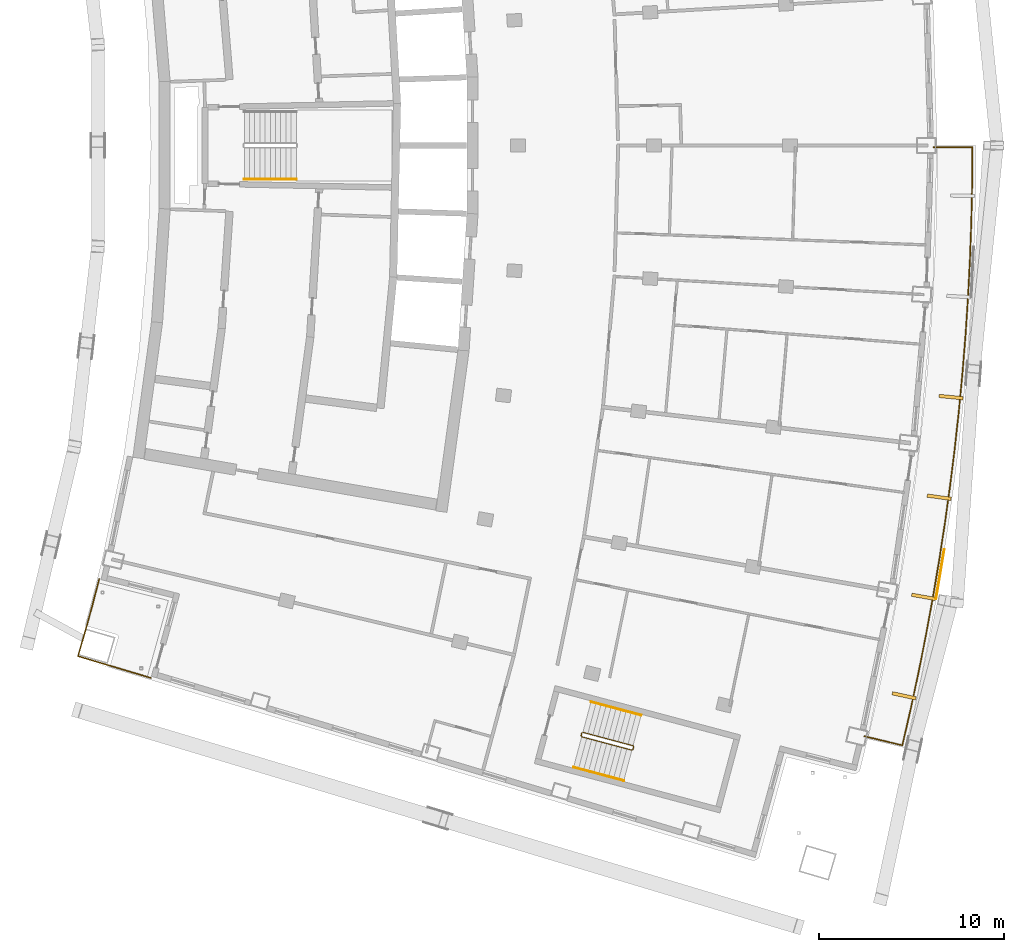
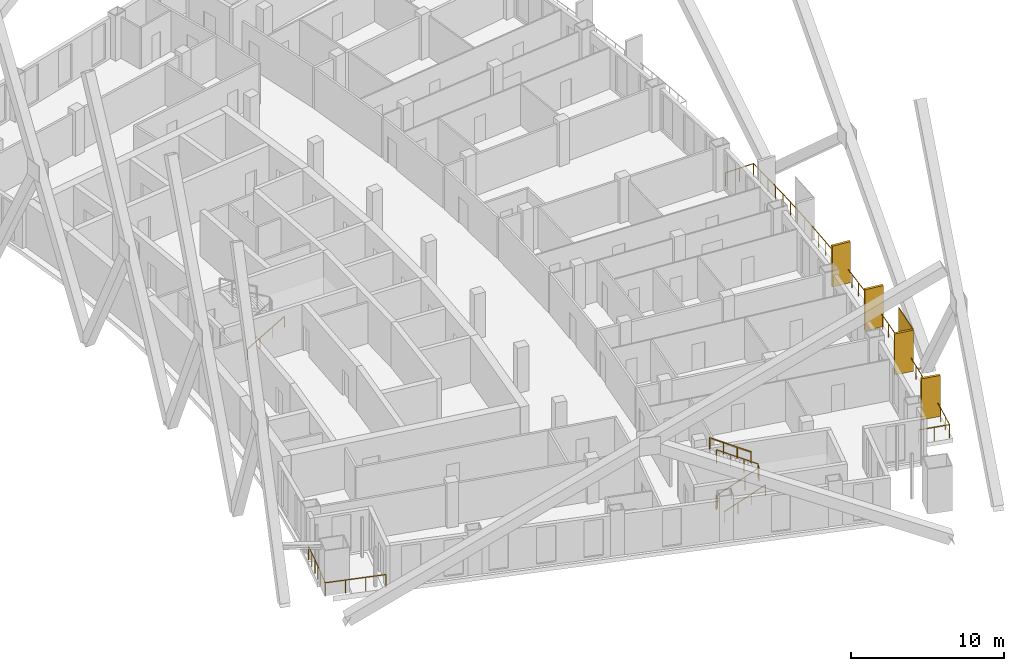
# One storey, part 19 of 20: 6 railings, 5 shading devices.
"""IFC4 building model written with IfcOpenShell, lengths in metres."""

from ifc_helpers import new_model, si_unit, direction, frame, origin, origin_with_axes, origin_2d, place, context, subcontext, project, spatial, rectangle, extrude, material, layer, layer_set, type_object, element, save


model = new_model("IFC4")

# Units and contexts
model_context = context("Model", 3, precision=1e-05, world=origin(), true_north=direction((0.0, 1.0)))
body_context = subcontext(model_context, "Body", "Model", "MODEL_VIEW")
ifc_project = project(units=[si_unit("LENGTHUNIT", "METRE"), si_unit("AREAUNIT", "SQUARE_METRE"), si_unit("VOLUMEUNIT", "CUBIC_METRE"), si_unit("PLANEANGLEUNIT", "RADIAN"), si_unit("MASSUNIT", "GRAM", prefix="KILO")], contexts=[model_context])

# Site, building, storey
site_placement = place(None, origin())
site = spatial("IfcSite", under=ifc_project, at=site_placement, CompositionType="ELEMENT")
building_placement = place(site_placement, origin())
building = spatial("IfcBuilding", under=site, at=building_placement, Name="Alderwake Tower", CompositionType="ELEMENT")
storey_placement = place(building_placement, frame((0.0, 0.0, 210.800048828125)))
storey = spatial("IfcBuildingStorey", under=building, at=storey_placement, Name="L52", CompositionType="ELEMENT", Elevation=210.800048828125)

# Railings
ifc_material_1 = material(Name="Stainless steel 316 rail and posts", Category="steel")
railing_type_1 = type_object("IfcRailingType", Name="Balcony guard 1100", PredefinedType="GUARDRAIL", material=ifc_material_1)
railing_1_placement = place(storey_placement, frame((54.477783203125, 29.14111328125, 0.0)))
element("IfcRailing", 1, at=railing_1_placement, inside=storey, type_object=railing_type_1, Name="Guard BF03", PredefinedType="GUARDRAIL", context=body_context, shape_type="SweptSolid", body=[
    extrude(rectangle(XDim=0.048095703125, YDim=0.048095703125, at=origin_2d()), frame((0.0, 0.0, 1.076171875), z_axis=(0.973057638874, -0.230561990427, 0.0), x_axis=(0.230561990427, 0.973057638874, 0.0)), (0.0, 0.0, 1.0), 2.099853515625),
    extrude(rectangle(XDim=0.048095703125, YDim=0.048095703125, at=origin_2d()), frame((2.043212890625, -0.484130859375, 1.076171875), z_axis=(0.22380572243, 0.97463377666, 0.0), x_axis=(-0.97463377666, 0.22380572243, 0.0)), (0.0, 0.0, 1.0), 1.946044921875),
    extrude(rectangle(XDim=0.048095703125, YDim=0.048095703125, at=origin_2d()), frame((2.478759765625, 1.41259765625, 1.076171875), z_axis=(0.209912112269, 0.977720259135, 0.0), x_axis=(-0.977720259135, 0.209912112269, 0.0)), (0.0, 0.0, 1.0), 2.0458984375),
    extrude(rectangle(XDim=0.048095703125, YDim=0.048095703125, at=origin_2d()), frame((2.908203125, 3.412841796875, 1.076171875), z_axis=(0.195565396752, 0.98069066254, 0.0), x_axis=(-0.98069066254, 0.195565396752, 0.0)), (0.0, 0.0, 1.0), 2.046142578125),
    extrude(rectangle(XDim=0.048095703125, YDim=0.048095703125, at=origin_2d()), frame((3.308349609375, 5.41943359375, 1.076171875), z_axis=(0.181268734219, 0.983433600196, 0.0), x_axis=(-0.983433600196, 0.181268734219, 0.0)), (0.0, 0.0, 1.0), 2.0458984375),
    extrude(rectangle(XDim=0.048095703125, YDim=0.048095703125, at=origin_2d()), frame((3.67919921875, 7.431396484375, 1.076171875), z_axis=(0.167049252433, 0.985948552036, 0.0), x_axis=(-0.985948552036, 0.167049252433, 0.0)), (0.0, 0.0, 1.0), 2.046142578125),
    extrude(rectangle(XDim=0.048095703125, YDim=0.048095703125, at=origin_2d()), frame((4.02099609375, 9.44873046875, 1.076171875), z_axis=(0.152487539839, 0.988305393183, 0.0), x_axis=(-0.988305393183, 0.152487539839, 0.0)), (0.0, 0.0, 1.0), 2.046142578125),
    extrude(rectangle(XDim=0.048095703125, YDim=0.048095703125, at=origin_2d()), frame((4.3330078125, 11.470947265625, 1.076171875), z_axis=(0.138062649027, 0.990423497774, 0.0), x_axis=(-0.990423497774, 0.138062649027, 0.0)), (0.0, 0.0, 1.0), 2.0458984375),
    extrude(rectangle(XDim=0.048095703125, YDim=0.048095703125, at=origin_2d()), frame((4.615478515625, 13.497314453125, 1.076171875), z_axis=(0.123623502309, 0.992329194208, 0.0), x_axis=(-0.992329194208, 0.123623502309, 0.0)), (0.0, 0.0, 1.0), 2.0458984375),
    extrude(rectangle(XDim=0.048095703125, YDim=0.048095703125, at=origin_2d()), frame((4.868408203125, 15.527587890625, 1.076171875), z_axis=(0.109174253205, 0.994022626723, 0.0), x_axis=(-0.994022626723, 0.109174253205, 0.0)), (0.0, 0.0, 1.0), 2.046142578125),
    extrude(rectangle(XDim=0.048095703125, YDim=0.048095703125, at=origin_2d()), frame((5.091796875, 17.5615234375, 1.076171875), z_axis=(0.094623268612, 0.995513152619, 0.0), x_axis=(-0.995513152619, 0.094623268612, 0.0)), (0.0, 0.0, 1.0), 2.046142578125),
    extrude(rectangle(XDim=0.048095703125, YDim=0.048095703125, at=origin_2d()), frame((5.285400390625, 19.598388671875, 1.076171875), z_axis=(0.080191048977, 0.996779512061, 0.0), x_axis=(-0.996779512061, 0.080191048977, 0.0)), (0.0, 0.0, 1.0), 2.0458984375),
    extrude(rectangle(XDim=0.048095703125, YDim=0.048095703125, at=origin_2d()), frame((5.449462890625, 21.6376953125, 1.076171875), z_axis=(0.065505305432, 0.997852221003, 0.0), x_axis=(-0.997852221003, 0.065505305432, 0.0)), (0.0, 0.0, 1.0), 2.046142578125),
    extrude(rectangle(XDim=0.048095703125, YDim=0.048095703125, at=origin_2d()), frame((5.58349609375, 23.679443359375, 1.076171875), z_axis=(0.051074369334, 0.998694852694, 0.0), x_axis=(-0.998694852694, 0.051074369334, 0.0)), (0.0, 0.0, 1.0), 2.0458984375),
    extrude(rectangle(XDim=0.048095703125, YDim=0.048095703125, at=origin_2d()), frame((5.68798828125, 25.72265625, 1.076171875), z_axis=(0.036393784558, 0.999337526787, 0.0), x_axis=(-0.999337526787, 0.036393784558, 0.0)), (0.0, 0.0, 1.0), 2.046142578125),
    extrude(rectangle(XDim=0.048095703125, YDim=0.048095703125, at=origin_2d()), frame((5.762451171875, 27.767333984375, 1.076171875), z_axis=(0.021954368204, 0.999758973812, 0.0), x_axis=(-0.999758973812, 0.021954368204, 0.0)), (0.0, 0.0, 1.0), 2.046142578125),
    extrude(rectangle(XDim=0.048095703125, YDim=0.048095703125, at=origin_2d()), frame((5.807373046875, 29.81298828125, 1.076171875), z_axis=(0.007653477216, 0.999970711714, 0.0), x_axis=(-0.999970711714, 0.007653477216, 0.0)), (0.0, 0.0, 1.0), 1.94580078125),
    extrude(rectangle(XDim=0.048095703125, YDim=0.048095703125, at=origin_2d()), frame((5.822265625, 31.7587890625, 1.076171875), z_axis=(-0.999999668894, 0.000813763971, 0.0), x_axis=(-0.000813763971, -0.999999668894, 0.0)), (0.0, 0.0, 1.0), 2.10009765625),
    extrude(rectangle(XDim=0.0419921875, YDim=0.0419921875, at=origin_2d()), frame((0.0, 0.0, 0.0), z_axis=(0.0, 0.0, 1.0), x_axis=(0.973057638874, -0.230561990427, 0.0)), (0.0, 0.0, 1.0), 1.052001953125),
    extrude(rectangle(XDim=0.0419921875, YDim=0.0419921875, at=origin_2d()), frame((1.021484375, -0.2421875, 0.0), z_axis=(0.0, 0.0, 1.0), x_axis=(0.973057638874, -0.230561990427, 0.0)), (0.0, 0.0, 1.0), 1.052001953125),
    extrude(rectangle(XDim=0.0419921875, YDim=0.0419921875, at=origin_2d()), frame((2.043212890625, -0.484130859375, 0.0), z_axis=(0.0, 0.0, 1.0), x_axis=(0.22380572243, 0.97463377666, 0.0)), (0.0, 0.0, 1.0), 1.052001953125),
    extrude(rectangle(XDim=0.0419921875, YDim=0.0419921875, at=origin_2d()), frame((2.260986328125, 0.46435546875, 0.0), z_axis=(0.0, 0.0, 1.0), x_axis=(0.22380572243, 0.97463377666, 0.0)), (0.0, 0.0, 1.0), 1.052001953125),
    extrude(rectangle(XDim=0.0419921875, YDim=0.0419921875, at=origin_2d()), frame((2.478759765625, 1.41259765625, 0.0), z_axis=(0.0, 0.0, 1.0), x_axis=(0.209912112269, 0.977720259135, 0.0)), (0.0, 0.0, 1.0), 1.052001953125),
    extrude(rectangle(XDim=0.0419921875, YDim=0.0419921875, at=origin_2d()), frame((2.693359375, 2.41259765625, 0.0), z_axis=(0.0, 0.0, 1.0), x_axis=(0.209912112269, 0.977720259135, 0.0)), (0.0, 0.0, 1.0), 1.052001953125),
    extrude(rectangle(XDim=0.0419921875, YDim=0.0419921875, at=origin_2d()), frame((2.908203125, 3.412841796875, 0.0), z_axis=(0.0, 0.0, 1.0), x_axis=(0.195565396752, 0.98069066254, 0.0)), (0.0, 0.0, 1.0), 1.052001953125),
    extrude(rectangle(XDim=0.0419921875, YDim=0.0419921875, at=origin_2d()), frame((3.1083984375, 4.416015625, 0.0), z_axis=(0.0, 0.0, 1.0), x_axis=(0.195565396752, 0.98069066254, 0.0)), (0.0, 0.0, 1.0), 1.052001953125),
    extrude(rectangle(XDim=0.0419921875, YDim=0.0419921875, at=origin_2d()), frame((3.308349609375, 5.41943359375, 0.0), z_axis=(0.0, 0.0, 1.0), x_axis=(0.181268734219, 0.983433600196, 0.0)), (0.0, 0.0, 1.0), 1.052001953125),
    extrude(rectangle(XDim=0.0419921875, YDim=0.0419921875, at=origin_2d()), frame((3.49365234375, 6.42529296875, 0.0), z_axis=(0.0, 0.0, 1.0), x_axis=(0.181268734219, 0.983433600196, 0.0)), (0.0, 0.0, 1.0), 1.052001953125),
    extrude(rectangle(XDim=0.0419921875, YDim=0.0419921875, at=origin_2d()), frame((3.67919921875, 7.431396484375, 0.0), z_axis=(0.0, 0.0, 1.0), x_axis=(0.167049252433, 0.985948552036, 0.0)), (0.0, 0.0, 1.0), 1.052001953125),
    extrude(rectangle(XDim=0.0419921875, YDim=0.0419921875, at=origin_2d()), frame((3.85009765625, 8.43994140625, 0.0), z_axis=(0.0, 0.0, 1.0), x_axis=(0.167049252433, 0.985948552036, 0.0)), (0.0, 0.0, 1.0), 1.052001953125),
    extrude(rectangle(XDim=0.0419921875, YDim=0.0419921875, at=origin_2d()), frame((4.02099609375, 9.44873046875, 0.0), z_axis=(0.0, 0.0, 1.0), x_axis=(0.152487539839, 0.988305393183, 0.0)), (0.0, 0.0, 1.0), 1.052001953125),
    extrude(rectangle(XDim=0.0419921875, YDim=0.0419921875, at=origin_2d()), frame((4.177001953125, 10.4599609375, 0.0), z_axis=(0.0, 0.0, 1.0), x_axis=(0.152487539839, 0.988305393183, 0.0)), (0.0, 0.0, 1.0), 1.052001953125),
    extrude(rectangle(XDim=0.0419921875, YDim=0.0419921875, at=origin_2d()), frame((4.3330078125, 11.470947265625, 0.0), z_axis=(0.0, 0.0, 1.0), x_axis=(0.138062649027, 0.990423497774, 0.0)), (0.0, 0.0, 1.0), 1.052001953125),
    extrude(rectangle(XDim=0.0419921875, YDim=0.0419921875, at=origin_2d()), frame((4.47412109375, 12.484130859375, 0.0), z_axis=(0.0, 0.0, 1.0), x_axis=(0.138062649027, 0.990423497774, 0.0)), (0.0, 0.0, 1.0), 1.052001953125),
    extrude(rectangle(XDim=0.0419921875, YDim=0.0419921875, at=origin_2d()), frame((4.615478515625, 13.497314453125, 0.0), z_axis=(0.0, 0.0, 1.0), x_axis=(0.123623502309, 0.992329194208, 0.0)), (0.0, 0.0, 1.0), 1.052001953125),
    extrude(rectangle(XDim=0.0419921875, YDim=0.0419921875, at=origin_2d()), frame((4.741943359375, 14.512451171875, 0.0), z_axis=(0.0, 0.0, 1.0), x_axis=(0.123623502309, 0.992329194208, 0.0)), (0.0, 0.0, 1.0), 1.052001953125),
    extrude(rectangle(XDim=0.0419921875, YDim=0.0419921875, at=origin_2d()), frame((4.868408203125, 15.527587890625, 0.0), z_axis=(0.0, 0.0, 1.0), x_axis=(0.109174253205, 0.994022626723, 0.0)), (0.0, 0.0, 1.0), 1.052001953125),
    extrude(rectangle(XDim=0.0419921875, YDim=0.0419921875, at=origin_2d()), frame((4.97998046875, 16.54443359375, 0.0), z_axis=(0.0, 0.0, 1.0), x_axis=(0.109174253205, 0.994022626723, 0.0)), (0.0, 0.0, 1.0), 1.052001953125),
    extrude(rectangle(XDim=0.0419921875, YDim=0.0419921875, at=origin_2d()), frame((5.091796875, 17.5615234375, 0.0), z_axis=(0.0, 0.0, 1.0), x_axis=(0.094623268612, 0.995513152619, 0.0)), (0.0, 0.0, 1.0), 1.052001953125),
    extrude(rectangle(XDim=0.0419921875, YDim=0.0419921875, at=origin_2d()), frame((5.1884765625, 18.580078125, 0.0), z_axis=(0.0, 0.0, 1.0), x_axis=(0.094623268612, 0.995513152619, 0.0)), (0.0, 0.0, 1.0), 1.052001953125),
    extrude(rectangle(XDim=0.0419921875, YDim=0.0419921875, at=origin_2d()), frame((5.285400390625, 19.598388671875, 0.0), z_axis=(0.0, 0.0, 1.0), x_axis=(0.080191048977, 0.996779512061, 0.0)), (0.0, 0.0, 1.0), 1.052001953125),
    extrude(rectangle(XDim=0.0419921875, YDim=0.0419921875, at=origin_2d()), frame((5.367431640625, 20.6181640625, 0.0), z_axis=(0.0, 0.0, 1.0), x_axis=(0.080191048977, 0.996779512061, 0.0)), (0.0, 0.0, 1.0), 1.052001953125),
    extrude(rectangle(XDim=0.0419921875, YDim=0.0419921875, at=origin_2d()), frame((5.449462890625, 21.6376953125, 0.0), z_axis=(0.0, 0.0, 1.0), x_axis=(0.065505305432, 0.997852221003, 0.0)), (0.0, 0.0, 1.0), 1.052001953125),
    extrude(rectangle(XDim=0.0419921875, YDim=0.0419921875, at=origin_2d()), frame((5.5166015625, 22.65869140625, 0.0), z_axis=(0.0, 0.0, 1.0), x_axis=(0.065505305432, 0.997852221003, 0.0)), (0.0, 0.0, 1.0), 1.052001953125),
    extrude(rectangle(XDim=0.0419921875, YDim=0.0419921875, at=origin_2d()), frame((5.58349609375, 23.679443359375, 0.0), z_axis=(0.0, 0.0, 1.0), x_axis=(0.051074369334, 0.998694852694, 0.0)), (0.0, 0.0, 1.0), 1.052001953125),
    extrude(rectangle(XDim=0.0419921875, YDim=0.0419921875, at=origin_2d()), frame((5.6357421875, 24.701171875, 0.0), z_axis=(0.0, 0.0, 1.0), x_axis=(0.051074369334, 0.998694852694, 0.0)), (0.0, 0.0, 1.0), 1.052001953125),
    extrude(rectangle(XDim=0.0419921875, YDim=0.0419921875, at=origin_2d()), frame((5.68798828125, 25.72265625, 0.0), z_axis=(0.0, 0.0, 1.0), x_axis=(0.036393784558, 0.999337526787, 0.0)), (0.0, 0.0, 1.0), 1.052001953125),
    extrude(rectangle(XDim=0.0419921875, YDim=0.0419921875, at=origin_2d()), frame((5.72509765625, 26.7451171875, 0.0), z_axis=(0.0, 0.0, 1.0), x_axis=(0.036393784558, 0.999337526787, 0.0)), (0.0, 0.0, 1.0), 1.052001953125),
    extrude(rectangle(XDim=0.0419921875, YDim=0.0419921875, at=origin_2d()), frame((5.762451171875, 27.767333984375, 0.0), z_axis=(0.0, 0.0, 1.0), x_axis=(0.021954368204, 0.999758973812, 0.0)), (0.0, 0.0, 1.0), 1.052001953125),
    extrude(rectangle(XDim=0.0419921875, YDim=0.0419921875, at=origin_2d()), frame((5.784912109375, 28.7900390625, 0.0), z_axis=(0.0, 0.0, 1.0), x_axis=(0.021954368204, 0.999758973812, 0.0)), (0.0, 0.0, 1.0), 1.052001953125),
    extrude(rectangle(XDim=0.0419921875, YDim=0.0419921875, at=origin_2d()), frame((5.807373046875, 29.81298828125, 0.0), z_axis=(0.0, 0.0, 1.0), x_axis=(0.007653477216, 0.999970711714, 0.0)), (0.0, 0.0, 1.0), 1.052001953125),
    extrude(rectangle(XDim=0.0419921875, YDim=0.0419921875, at=origin_2d()), frame((5.81494140625, 30.785888671875, 0.0), z_axis=(0.0, 0.0, 1.0), x_axis=(0.007653477216, 0.999970711714, 0.0)), (0.0, 0.0, 1.0), 1.052001953125),
    extrude(rectangle(XDim=0.0419921875, YDim=0.0419921875, at=origin_2d()), frame((5.822265625, 31.7587890625, 0.0), z_axis=(0.0, 0.0, 1.0), x_axis=(-0.999999668894, 0.000813763971, 0.0)), (0.0, 0.0, 1.0), 1.052001953125),
    extrude(rectangle(XDim=0.0419921875, YDim=0.0419921875, at=origin_2d()), frame((4.772216796875, 31.759765625, 0.0), z_axis=(0.0, 0.0, 1.0), x_axis=(-0.999999668894, 0.000813763971, 0.0)), (0.0, 0.0, 1.0), 1.052001953125),
    extrude(rectangle(XDim=0.0419921875, YDim=0.0419921875, at=origin_2d()), frame((3.72216796875, 31.760498046875, 0.0), z_axis=(0.0, 0.0, 1.0), x_axis=(-0.999999668894, 0.000813763971, 0.0)), (0.0, 0.0, 1.0), 1.052001953125),
])
railing_2_placement = place(storey_placement, frame((13.210693359375, 37.612548828125, 0.0)))
element("IfcRailing", 2, at=railing_2_placement, inside=storey, type_object=railing_type_1, Name="Guard terrace RS", PredefinedType="GUARDRAIL", context=body_context, shape_type="SweptSolid", body=[
    extrude(rectangle(XDim=0.048095703125, YDim=0.048095703125, at=origin_2d()), frame((0.0, 0.0, 1.076171875), z_axis=(-0.251385381433, -0.967887075026, 0.0), x_axis=(0.967887075026, -0.251385381433, 0.0)), (0.0, 0.0, 1.0), 1.6015625),
    extrude(rectangle(XDim=0.048095703125, YDim=0.048095703125, at=origin_2d()), frame((-0.402587890625, -1.550048828125, 1.076171875), z_axis=(-0.266520638672, -0.963829211615, 0.0), x_axis=(0.963829211615, -0.266520638672, 0.0)), (0.0, 0.0, 1.0), 1.401611328125),
    extrude(rectangle(XDim=0.048095703125, YDim=0.048095703125, at=origin_2d()), frame((-0.776123046875, -2.90087890625, 1.076171875), z_axis=(-0.280093650878, -0.959972680204, 0.0), x_axis=(0.959972680204, -0.280093650878, 0.0)), (0.0, 0.0, 1.0), 1.30126953125),
    extrude(rectangle(XDim=0.048095703125, YDim=0.048095703125, at=origin_2d()), frame((-1.140625, -4.150146484375, 1.076171875), z_axis=(0.958066871889, -0.286544706789, 0.0), x_axis=(0.286544706789, 0.958066871889, 0.0)), (0.0, 0.0, 1.0), 4.099853515625),
    extrude(rectangle(XDim=0.0419921875, YDim=0.0419921875, at=origin_2d()), frame((0.0, 0.0, 0.0), z_axis=(0.0, 0.0, 1.0), x_axis=(-0.251385381433, -0.967887075026, 0.0)), (0.0, 0.0, 1.0), 1.052001953125),
    extrude(rectangle(XDim=0.0419921875, YDim=0.0419921875, at=origin_2d()), frame((-0.201171875, -0.77490234375, 0.0), z_axis=(0.0, 0.0, 1.0), x_axis=(-0.251385381433, -0.967887075026, 0.0)), (0.0, 0.0, 1.0), 1.052001953125),
    extrude(rectangle(XDim=0.0419921875, YDim=0.0419921875, at=origin_2d()), frame((-0.402587890625, -1.550048828125, 0.0), z_axis=(0.0, 0.0, 1.0), x_axis=(-0.266520638672, -0.963829211615, 0.0)), (0.0, 0.0, 1.0), 1.052001953125),
    extrude(rectangle(XDim=0.0419921875, YDim=0.0419921875, at=origin_2d()), frame((-0.58935546875, -2.2255859375, 0.0), z_axis=(0.0, 0.0, 1.0), x_axis=(-0.266520638672, -0.963829211615, 0.0)), (0.0, 0.0, 1.0), 1.052001953125),
    extrude(rectangle(XDim=0.0419921875, YDim=0.0419921875, at=origin_2d()), frame((-0.776123046875, -2.90087890625, 0.0), z_axis=(0.0, 0.0, 1.0), x_axis=(-0.280093650878, -0.959972680204, 0.0)), (0.0, 0.0, 1.0), 1.052001953125),
    extrude(rectangle(XDim=0.0419921875, YDim=0.0419921875, at=origin_2d()), frame((-1.140625, -4.150146484375, 0.0), z_axis=(0.0, 0.0, 1.0), x_axis=(0.958066871889, -0.286544706789, 0.0)), (0.0, 0.0, 1.0), 1.052001953125),
    extrude(rectangle(XDim=0.0419921875, YDim=0.0419921875, at=origin_2d()), frame((0.168701171875, -4.541748046875, 0.0), z_axis=(0.0, 0.0, 1.0), x_axis=(0.958066871889, -0.286544706789, 0.0)), (0.0, 0.0, 1.0), 1.052001953125),
    extrude(rectangle(XDim=0.0419921875, YDim=0.0419921875, at=origin_2d()), frame((1.47802734375, -4.933349609375, 0.0), z_axis=(0.0, 0.0, 1.0), x_axis=(0.958066871889, -0.286544706789, 0.0)), (0.0, 0.0, 1.0), 1.052001953125),
    extrude(rectangle(XDim=0.0419921875, YDim=0.0419921875, at=origin_2d()), frame((2.787353515625, -5.324951171875, 0.0), z_axis=(0.0, 0.0, 1.0), x_axis=(0.958066871889, -0.286544706789, 0.0)), (0.0, 0.0, 1.0), 1.052001953125),
])

# Shading devices
ifc_material_2 = material(Name="Bronze anodised aluminium", Category="aluminium")
ifc_layer_1 = layer(ifc_material_2, 0.179931640625)
ifc_layer_set_1 = layer_set([ifc_layer_1], Name="Facade fin 1300")
shading_device_type_1 = type_object("IfcShadingDeviceType", Name="Facade fin 1300", PredefinedType="USERDEFINED", material=ifc_layer_set_1)
for number, where, z_axis, x_axis, name in (
    (3, (56.614013671875, 31.32421875, 0.0), (0.0, 0.0, 1.0), (0.977210363881, -0.212273184185, 0.0), "Fin"),
    (4, (57.664794921875, 36.65966796875, 0.0), (0.0, 0.0, 1.0), (0.984726421654, -0.174108800747, 0.0), "Fin"),
    (5, (58.507080078125, 42.031982421875, 0.0), (0.0, 0.0, 1.0), (0.990752577235, -0.135680988728, 0.0), "Fin"),
    (6, (59.14013671875, 47.432861328125, 0.0), (0.0, 0.0, 1.0), (0.995279882363, -0.097046152751, 0.0), "Fin"),
):
    element("IfcShadingDevice", number, at=place(storey_placement, frame(where, z_axis=z_axis, x_axis=x_axis)), inside=storey, type_object=shading_device_type_1, Name=name, ObjectType="FIN", PredefinedType="USERDEFINED", context=body_context, shape_type="SweptSolid", body=[
        extrude(rectangle(XDim=1.300048828125, YDim=0.179931640625, at=origin_2d()), origin(), (0.0, 0.0, 1.0), 3.280029296875),
    ])
ifc_material_3 = material(Name="Perforated bronze anodised aluminium", Category="aluminium")
ifc_layer_2 = layer(ifc_material_3, 0.050048828125)
ifc_layer_set_2 = layer_set([ifc_layer_2], Name="Perforated screen panel")
shading_device_type_2 = type_object("IfcShadingDeviceType", Name="Perforated screen panel", PredefinedType="USERDEFINED", material=ifc_layer_set_2)
shading_device_placement = place(storey_placement, frame((58.5537109375, 37.88623046875, 0.0), z_axis=(0.0, 0.0, 1.0), x_axis=(0.986369013299, -0.164548380739, 0.0)))
element("IfcShadingDevice", 7, at=shading_device_placement, inside=storey, type_object=shading_device_type_2, Name="Screen panel", ObjectType="SCREEN", PredefinedType="USERDEFINED", context=body_context, shape_type="SweptSolid", body=[
    extrude(rectangle(XDim=0.050048828125, YDim=2.72509765625, at=origin_2d()), origin(), (0.0, 0.0, 1.0), 3.280029296875),
])

# Railings
ifc_material_4 = material(Name="Stainless steel guard", Category="steel")
railing_type_2 = type_object("IfcRailingType", Name="Stair guard 1100", PredefinedType="GUARDRAIL", material=ifc_material_4)
railing_3_placement = place(storey_placement, frame((39.1943359375, 29.17431640625, 0.0)))
element("IfcRailing", 8, at=railing_3_placement, inside=storey, type_object=railing_type_2, Name="L52 ST-C stair guard 1", PredefinedType="GUARDRAIL", context=body_context, shape_type="SweptSolid", body=[
    extrude(rectangle(XDim=0.048095703125, YDim=0.048095703125, at=origin_2d()), frame((0.0, 0.0, 1.076171875), z_axis=(0.257459803502, 0.966289009345, 0.0), x_axis=(-0.966289009345, 0.257459803502, 0.0)), (0.0, 0.0, 1.0), 0.14990234375),
    extrude(rectangle(XDim=0.048095703125, YDim=0.048095703125, at=origin_2d()), frame((0.03857421875, 0.144775390625, 1.076171875), z_axis=(-0.012062893862, -0.783160186125, 0.621702991355), x_axis=(0.999881397308, -0.015401016783, 0.0)), (0.0, 0.0, 1.0), 0.26318359375),
    extrude(rectangle(XDim=0.048095703125, YDim=0.048095703125, at=origin_2d()), frame((0.035400390625, -0.061279296875, 1.23974609375), z_axis=(0.834281824786, -0.222214197128, 0.504573768072), x_axis=(0.257380452725, 0.966310148221, 0.0)), (0.0, 0.0, 1.0), 3.2431640625),
    extrude(rectangle(XDim=0.048095703125, YDim=0.048095703125, at=origin_2d()), frame((2.7412109375, -0.781982421875, 2.8759765625), z_axis=(0.865031189262, 0.501718089772, 0.0), x_axis=(-0.501718089772, 0.865031189262, 0.0)), (0.0, 0.0, 1.0), 0.070556640625),
    extrude(rectangle(XDim=0.048095703125, YDim=0.048095703125, at=origin_2d()), frame((2.80224609375, -0.74658203125, 2.8759765625), z_axis=(0.257055032184, 0.966396766566, 0.0), x_axis=(-0.966396766566, 0.257055032184, 0.0)), (0.0, 0.0, 1.0), 0.150146484375),
    extrude(rectangle(XDim=0.048095703125, YDim=0.048095703125, at=origin_2d()), frame((2.8408203125, -0.6015625, 2.8759765625), z_axis=(-0.198625291617, 0.343827228937, 0.91778583023), x_axis=(-0.865898279276, -0.500220121494, 0.0)), (0.0, 0.0, 1.0), 0.17822265625),
    extrude(rectangle(XDim=0.048095703125, YDim=0.048095703125, at=origin_2d()), frame((2.805419921875, -0.540283203125, 3.03955078125), z_axis=(-0.834290631165, 0.222236594766, 0.504549342183), x_axis=(-0.257402139082, -0.966304371715, 0.0)), (0.0, 0.0, 1.0), 3.242919921875),
    extrude(rectangle(XDim=0.0419921875, YDim=0.0419921875, at=origin_2d()), frame((0.0, 0.0, 0.0), z_axis=(0.0, 0.0, 1.0), x_axis=(0.257459803502, 0.966289009345, 0.0)), (0.0, 0.0, 1.0), 1.052001953125),
    extrude(rectangle(XDim=0.0419921875, YDim=0.0419921875, at=origin_2d()), frame((0.03857421875, 0.144775390625, 0.0), z_axis=(0.0, 0.0, 1.0), x_axis=(-0.015401016783, -0.999881397308, 0.0)), (0.0, 0.0, 1.0), 1.052001953125),
    extrude(rectangle(XDim=0.0419921875, YDim=0.0419921875, at=origin_2d()), frame((0.035400390625, -0.061279296875, 0.16357421875), z_axis=(0.0, 0.0, 1.0), x_axis=(0.966310148221, -0.257380452725, 0.0)), (0.0, 0.0, 1.0), 1.052001953125),
    extrude(rectangle(XDim=0.0419921875, YDim=0.0419921875, at=origin_2d()), frame((0.937255859375, -0.301513671875, 0.708984375), z_axis=(0.0, 0.0, 1.0), x_axis=(0.966310148221, -0.257380452725, 0.0)), (0.0, 0.0, 1.0), 1.052001953125),
    extrude(rectangle(XDim=0.0419921875, YDim=0.0419921875, at=origin_2d()), frame((1.83935546875, -0.541748046875, 1.254638671875), z_axis=(0.0, 0.0, 1.0), x_axis=(0.966310148221, -0.257380452725, 0.0)), (0.0, 0.0, 1.0), 1.052001953125),
    extrude(rectangle(XDim=0.0419921875, YDim=0.0419921875, at=origin_2d()), frame((2.7412109375, -0.781982421875, 1.800048828125), z_axis=(0.0, 0.0, 1.0), x_axis=(0.865031189262, 0.501718089772, 0.0)), (0.0, 0.0, 1.0), 1.052001953125),
    extrude(rectangle(XDim=0.0419921875, YDim=0.0419921875, at=origin_2d()), frame((2.80224609375, -0.74658203125, 1.800048828125), z_axis=(0.0, 0.0, 1.0), x_axis=(0.257055032184, 0.966396766566, 0.0)), (0.0, 0.0, 1.0), 1.052001953125),
    extrude(rectangle(XDim=0.0419921875, YDim=0.0419921875, at=origin_2d()), frame((2.8408203125, -0.6015625, 1.800048828125), z_axis=(0.0, 0.0, 1.0), x_axis=(-0.500220121494, 0.865898279276, 0.0)), (0.0, 0.0, 1.0), 1.052001953125),
    extrude(rectangle(XDim=0.0419921875, YDim=0.0419921875, at=origin_2d()), frame((2.805419921875, -0.540283203125, 1.963623046875), z_axis=(0.0, 0.0, 1.0), x_axis=(-0.966304371715, 0.257402139082, 0.0)), (0.0, 0.0, 1.0), 1.052001953125),
    extrude(rectangle(XDim=0.0419921875, YDim=0.0419921875, at=origin_2d()), frame((1.903564453125, -0.300048828125, 2.509033203125), z_axis=(0.0, 0.0, 1.0), x_axis=(-0.966304371715, 0.257402139082, 0.0)), (0.0, 0.0, 1.0), 1.052001953125),
    extrude(rectangle(XDim=0.0419921875, YDim=0.0419921875, at=origin_2d()), frame((1.001708984375, -0.059814453125, 3.054443359375), z_axis=(0.0, 0.0, 1.0), x_axis=(-0.966304371715, 0.257402139082, 0.0)), (0.0, 0.0, 1.0), 1.052001953125),
    extrude(rectangle(XDim=0.0419921875, YDim=0.0419921875, at=origin_2d()), frame((0.099853515625, 0.180419921875, 3.599853515625), z_axis=(0.0, 0.0, 1.0), x_axis=(-0.966304371715, 0.257402139082, 0.0)), (0.0, 0.0, 1.0), 1.052001953125),
])
ifc_material_5 = material(Name="Stainless steel handrail", Category="steel")
railing_type_3 = type_object("IfcRailingType", Name="Stair handrail 900", PredefinedType="HANDRAIL", material=ifc_material_5)
railing_4_placement = place(storey_placement, frame((21.0400390625, 59.175048828125, 0.16357421875)))
element("IfcRailing", 9, at=railing_4_placement, inside=storey, type_object=railing_type_3, Name="L52 ST-B stair handrail 1", PredefinedType="HANDRAIL", context=body_context, shape_type="SweptSolid", body=[
    extrude(rectangle(XDim=0.048095703125, YDim=0.048095703125, at=origin_2d()), frame((0.0, 0.0, 0.8759765625), z_axis=(0.863360870873, 0.0, 0.504586966384), x_axis=(0.0, 1.0, 0.0)), (0.0, 0.0, 1.0), 3.2431640625),
    extrude(rectangle(XDim=0.0419921875, YDim=0.0419921875, at=origin_2d()), origin_with_axes(), (0.0, 0.0, 1.0), 0.851806640625),
    extrude(rectangle(XDim=0.0419921875, YDim=0.0419921875, at=origin_2d()), frame((0.933349609375, 0.0, 0.54541015625), z_axis=(0.0, 0.0, 1.0), x_axis=(1.0, 0.0, 0.0)), (0.0, 0.0, 1.0), 0.851806640625),
    extrude(rectangle(XDim=0.0419921875, YDim=0.0419921875, at=origin_2d()), frame((1.86669921875, 0.0, 1.091064453125), z_axis=(0.0, 0.0, 1.0), x_axis=(1.0, 0.0, 0.0)), (0.0, 0.0, 1.0), 0.851806640625),
    extrude(rectangle(XDim=0.0419921875, YDim=0.0419921875, at=origin_2d()), frame((2.800048828125, 0.0, 1.636474609375), z_axis=(0.0, 0.0, 1.0), x_axis=(1.0, 0.0, 0.0)), (0.0, 0.0, 1.0), 0.851806640625),
])
railing_5_placement = place(storey_placement, frame((38.792236328125, 27.47021484375, 0.16357421875)))
element("IfcRailing", 10, at=railing_5_placement, inside=storey, type_object=railing_type_3, Name="L52 ST-C stair handrail 1", PredefinedType="HANDRAIL", context=body_context, shape_type="SweptSolid", body=[
    extrude(rectangle(XDim=0.048095703125, YDim=0.048095703125, at=origin_2d()), frame((0.0, 0.0, 0.8759765625), z_axis=(0.834272895437, -0.222156588561, 0.504613898043), x_axis=(0.25732071773, 0.966326056891, 0.0)), (0.0, 0.0, 1.0), 3.242919921875),
    extrude(rectangle(XDim=0.0419921875, YDim=0.0419921875, at=origin_2d()), frame((0.0, 0.0, 0.0), z_axis=(0.0, 0.0, 1.0), x_axis=(0.966326056891, -0.25732071773, 0.0)), (0.0, 0.0, 1.0), 0.851806640625),
    extrude(rectangle(XDim=0.0419921875, YDim=0.0419921875, at=origin_2d()), frame((0.90185546875, -0.240234375, 0.54541015625), z_axis=(0.0, 0.0, 1.0), x_axis=(0.966326056891, -0.25732071773, 0.0)), (0.0, 0.0, 1.0), 0.851806640625),
    extrude(rectangle(XDim=0.0419921875, YDim=0.0419921875, at=origin_2d()), frame((1.8037109375, -0.480224609375, 1.091064453125), z_axis=(0.0, 0.0, 1.0), x_axis=(0.966326056891, -0.25732071773, 0.0)), (0.0, 0.0, 1.0), 0.851806640625),
    extrude(rectangle(XDim=0.0419921875, YDim=0.0419921875, at=origin_2d()), frame((2.70556640625, -0.720458984375, 1.636474609375), z_axis=(0.0, 0.0, 1.0), x_axis=(0.966326056891, -0.25732071773, 0.0)), (0.0, 0.0, 1.0), 0.851806640625),
])
railing_6_placement = place(storey_placement, frame((42.437255859375, 30.276611328125, 1.963623046875)))
element("IfcRailing", 11, at=railing_6_placement, inside=storey, type_object=railing_type_3, Name="L52 ST-C stair handrail 2", PredefinedType="HANDRAIL", context=body_context, shape_type="SweptSolid", body=[
    extrude(rectangle(XDim=0.048095703125, YDim=0.048095703125, at=origin_2d()), frame((0.0, 0.0, 0.8759765625), z_axis=(-0.834290631165, 0.222236594766, 0.504549342183), x_axis=(-0.257402139082, -0.966304371715, 0.0)), (0.0, 0.0, 1.0), 3.242919921875),
    extrude(rectangle(XDim=0.0419921875, YDim=0.0419921875, at=origin_2d()), frame((0.0, 0.0, 0.0), z_axis=(0.0, 0.0, 1.0), x_axis=(-0.966304371715, 0.257402139082, 0.0)), (0.0, 0.0, 1.0), 0.851806640625),
    extrude(rectangle(XDim=0.0419921875, YDim=0.0419921875, at=origin_2d()), frame((-0.90185546875, 0.240234375, 0.54541015625), z_axis=(0.0, 0.0, 1.0), x_axis=(-0.966304371715, 0.257402139082, 0.0)), (0.0, 0.0, 1.0), 0.851806640625),
    extrude(rectangle(XDim=0.0419921875, YDim=0.0419921875, at=origin_2d()), frame((-1.8037109375, 0.48046875, 1.0908203125), z_axis=(0.0, 0.0, 1.0), x_axis=(-0.966304371715, 0.257402139082, 0.0)), (0.0, 0.0, 1.0), 0.851806640625),
    extrude(rectangle(XDim=0.0419921875, YDim=0.0419921875, at=origin_2d()), frame((-2.70556640625, 0.720703125, 1.63623046875), z_axis=(0.0, 0.0, 1.0), x_axis=(-0.966304371715, 0.257402139082, 0.0)), (0.0, 0.0, 1.0), 0.851806640625),
])

save(model, "model.ifc")
